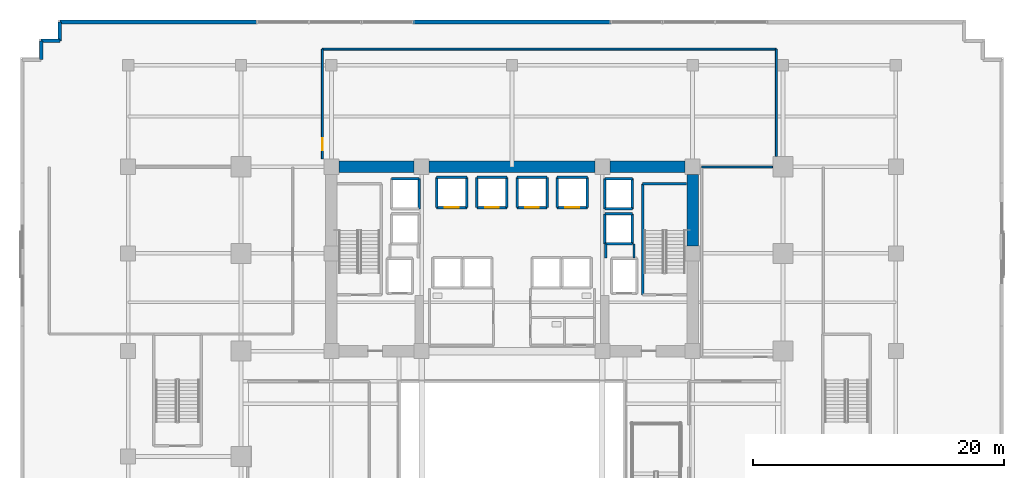
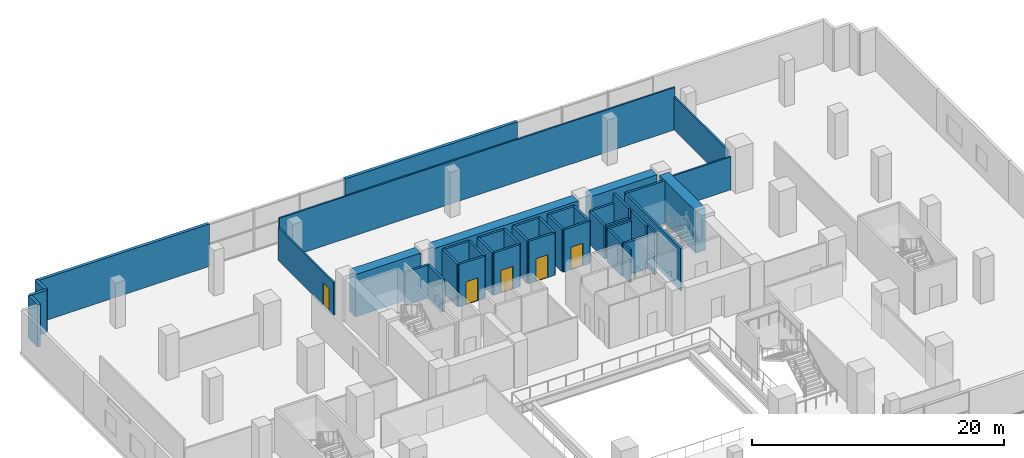
# One storey, part 14 of 21: 43 walls, 5 doors, 5 openings.
"""IFC4 building model written with IfcOpenShell, lengths in metres."""

from ifc_helpers import new_model, si_unit, direction, frame, frame_2d, origin, place, context, subcontext, project, spatial, rectangle, extrude, source, transform, mapped, material, layer, layer_set, type_object, element, fill, save


model = new_model("IFC4")

# Units and contexts
model_context = context("Model", 3, precision=1e-05, world=origin(), true_north=direction((0.0, 1.0)))
body_context = subcontext(model_context, "Body", "Model", "MODEL_VIEW")
ifc_project = project(units=[si_unit("LENGTHUNIT", "METRE"), si_unit("AREAUNIT", "SQUARE_METRE"), si_unit("VOLUMEUNIT", "CUBIC_METRE"), si_unit("PLANEANGLEUNIT", "RADIAN"), si_unit("MASSUNIT", "GRAM", prefix="KILO")], contexts=[model_context])

# Site, building, storey
site_placement = place(None, origin())
site = spatial("IfcSite", under=ifc_project, at=site_placement, CompositionType="ELEMENT")
building_placement = place(site_placement, origin())
building = spatial("IfcBuilding", under=site, at=building_placement, Name="Zarnakvel Exchange Tower", CompositionType="ELEMENT")
storey_placement = place(building_placement, frame((0.0, 0.0, 5.0)))
storey = spatial("IfcBuildingStorey", under=building, at=storey_placement, Name="L01", CompositionType="ELEMENT", Elevation=5.0)

# Walls
ifc_material_1 = material(Name="Concrete C80/95", Category="concrete")
ifc_layer_1 = layer(ifc_material_1, 0.89990234375)
ifc_layer_set_1 = layer_set([ifc_layer_1], Name="Concrete C80/95")
wall_type_1 = type_object("IfcWallType", Name="CW-C1", PredefinedType="SHEAR", material=ifc_layer_set_1)
wall_1_placement = place(storey_placement, frame((-13.800048828125, 13.5, 0.0), z_axis=(0.0, 0.0, 1.0), x_axis=(1.0, 0.0, 0.0)))
element("IfcWall", 1, at=wall_1_placement, inside=storey, type_object=wall_type_1, Name="L01 Rear Core Shear Wall N1 (CW-C1)", PredefinedType="SHEAR", context=body_context, shape_type="SweptSolid", body=[
    extrude(rectangle(XDim=6.0, YDim=0.89990234375, at=frame_2d((3.0, 0.0))), origin(), (0.0, 0.0, 1.0), 4.10009765625),
])
wall_2_placement = place(storey_placement, frame((-6.60009765625, 13.5, 0.0), z_axis=(0.0, 0.0, 1.0), x_axis=(1.0, 0.0, 0.0)))
element("IfcWall", 2, at=wall_2_placement, inside=storey, type_object=wall_type_1, Name="L01 Rear Core Shear Wall N2 (CW-C1)", PredefinedType="SHEAR", context=body_context, shape_type="SweptSolid", body=[
    extrude(rectangle(XDim=13.2001953125, YDim=0.89990234375, at=frame_2d((6.60009765625, 0.0))), origin(), (0.0, 0.0, 1.0), 4.10009765625),
])
wall_3_placement = place(storey_placement, frame((7.800048828125, 13.5, 0.0), z_axis=(0.0, 0.0, 1.0), x_axis=(1.0, 0.0, 0.0)))
element("IfcWall", 3, at=wall_3_placement, inside=storey, type_object=wall_type_1, Name="L01 Rear Core Shear Wall N3 (CW-C1)", PredefinedType="SHEAR", context=body_context, shape_type="SweptSolid", body=[
    extrude(rectangle(XDim=6.0, YDim=0.89990234375, at=frame_2d((3.0, 0.0))), origin(), (0.0, 0.0, 1.0), 4.10009765625),
])
wall_4_placement = place(storey_placement, frame((14.39990234375, 7.199951171875, 0.0), z_axis=(0.0, 0.0, 1.0), x_axis=(0.0, 1.0, 0.0)))
element("IfcWall", 4, at=wall_4_placement, inside=storey, type_object=wall_type_1, Name="L01 Rear Core Shear Wall E2 (CW-C1)", PredefinedType="SHEAR", context=body_context, shape_type="SweptSolid", body=[
    extrude(rectangle(XDim=5.699951171875, YDim=0.89990234375, at=frame_2d((2.85009765625, 0.0))), origin(), (0.0, 0.0, 1.0), 4.10009765625),
])
ifc_material_2 = material(Name="Precast concrete C40/50", Category="concrete")
ifc_layer_2 = layer(ifc_material_2, 0.280029296875)
ifc_layer_set_2 = layer_set([ifc_layer_2], Name="Precast concrete C40/50")
wall_type_2 = type_object("IfcWallType", Name="EW-01", PredefinedType="SOLIDWALL", material=ifc_layer_set_2)
for number, where, z_axis, x_axis, name in (
    (5, (-37.5400390625, 23.5400390625, 0.0), (0.0, 0.0, 1.0), (0.0, -1.0, 0.0), "L01 Exterior Precast Spandrel Wall EWC-L01-04 (EW-01)"),
    (6, (-36.0400390625, 23.5400390625, 0.0), (0.0, 0.0, 1.0), (-1.0, 0.0, 0.0), "L01 Exterior Precast Spandrel Wall EWC-L01-05 (EW-01)"),
    (7, (-36.0400390625, 25.0400390625, 0.0), (0.0, 0.0, 1.0), (0.0, -1.0, 0.0), "L01 Exterior Precast Spandrel Wall EWC-L01-06 (EW-01)"),
):
    element("IfcWall", number, at=place(storey_placement, frame(where, z_axis=z_axis, x_axis=x_axis)), inside=storey, type_object=wall_type_2, Name=name, PredefinedType="SOLIDWALL", context=body_context, shape_type="SweptSolid", body=[
        extrude(rectangle(XDim=1.5, YDim=0.280029296875, at=frame_2d((0.75, 0.0))), origin(), (0.0, 0.0, 1.0), 4.10009765625),
    ])
wall_5_placement = place(storey_placement, frame((-20.304931640625, 25.0400390625, 0.0), z_axis=(0.0, 0.0, 1.0), x_axis=(-1.0, 0.0, 0.0)))
element("IfcWall", 8, at=wall_5_placement, inside=storey, type_object=wall_type_2, Name="L01 Exterior Precast Spandrel Wall EWC-L01-07 (EW-01)", PredefinedType="SOLIDWALL", context=body_context, shape_type="SweptSolid", body=[
    extrude(rectangle(XDim=15.735107421875, YDim=0.280029296875, at=frame_2d((7.86767578125, 0.0))), origin(), (0.0, 0.0, 1.0), 4.10009765625),
])
wall_6_placement = place(storey_placement, frame((7.89501953125, 25.0400390625, 0.0), z_axis=(0.0, 0.0, 1.0), x_axis=(-1.0, 0.0, 0.0)))
element("IfcWall", 9, at=wall_6_placement, inside=storey, type_object=wall_type_2, Name="L01 Exterior Precast Spandrel Wall EWC-L01-08 (EW-01)", PredefinedType="SOLIDWALL", context=body_context, shape_type="SweptSolid", body=[
    extrude(rectangle(XDim=15.7900390625, YDim=0.280029296875, at=frame_2d((7.89501953125, 0.0))), origin(), (0.0, 0.0, 1.0), 4.10009765625),
])
ifc_material_3 = material(Name="Fire-Rated Gypsum Stud Partition", Category="gypsum")
ifc_layer_3 = layer(ifc_material_3, 0.14990234375)
ifc_layer_set_3 = layer_set([ifc_layer_3], Name="Fire-Rated Gypsum Stud Partition")
wall_type_3 = type_object("IfcWallType", Name="PT-01", PredefinedType="PARTITIONING", material=ifc_layer_set_3)
wall_7_placement = place(storey_placement, frame((15.1201171875, 13.47998046875, 0.0), z_axis=(0.0, 0.0, 1.0), x_axis=(1.0, 0.0, 0.0)))
element("IfcWall", 10, at=wall_7_placement, inside=storey, type_object=wall_type_3, Name="L01 Partition Wall PWALL-L01-045 (PT-01)", PredefinedType="PARTITIONING", context=body_context, shape_type="SweptSolid", body=[
    extrude(rectangle(XDim=5.659912109375, YDim=0.14990234375, at=frame_2d((2.830078125, 0.0))), origin(), (0.0, 0.0, 1.0), 3.18994140625),
])
wall_8_placement = place(storey_placement, frame((-15.1201171875, 22.8798828125, 0.0), z_axis=(0.0, 0.0, 1.0), x_axis=(1.0, 0.0, 0.0)))
element("IfcWall", 11, at=wall_8_placement, inside=storey, type_object=wall_type_3, Name="L01 Partition Wall PWALL-L01-048 (PT-01)", PredefinedType="PARTITIONING", context=body_context, shape_type="SweptSolid", body=[
    extrude(rectangle(XDim=36.2001953125, YDim=0.14990234375, at=frame_2d((18.10009765625, 0.0))), origin(), (0.0, 0.0, 1.0), 4.10009765625),
])

# Wall, opening, door
wall_9_placement = place(storey_placement, frame((-15.1201171875, 14.1201171875, 0.0), z_axis=(0.0, 0.0, 1.0), x_axis=(0.0, 1.0, 0.0)))
wall_9 = element("IfcWall", 12, at=wall_9_placement, inside=storey, type_object=wall_type_3, Name="L01 Partition Wall PWALL-L01-049 (PT-01)", PredefinedType="PARTITIONING", context=body_context, shape_type="SweptSolid", body=[
    extrude(rectangle(XDim=8.759765625, YDim=0.14990234375, at=frame_2d((4.3798828125, 0.0))), origin(), (0.0, 0.0, 1.0), 3.18994140625),
])
opening_1_placement = place(wall_9_placement, frame((0.68994140625, 0.0, 0.0)))
opening_1 = element("IfcOpeningElement", 13, at=opening_1_placement, cuts=wall_9, Name="Opening D-L01-15", PredefinedType="OPENING", context=body_context, shape_type="SweptSolid", body=[
    extrude(rectangle(XDim=0.97998046875, YDim=2.14990234375, at=frame_2d((0.489990234375, 1.074951171875))), frame((0.0, 0.0849609375, 0.0), z_axis=(0.0, -1.0, 0.0), x_axis=(1.0, 0.0, 0.0)), (0.0, 0.0, 1.0), 0.169921875),
])
ifc_material_4 = material(Name="Timber Acoustic Veneer", Category="wood")
door_type_1 = type_object("IfcDoorType", Name="DT-05", OperationType="NOTDEFINED", PredefinedType="DOOR", material=ifc_material_4)
shared_shape_1 = source(origin(), body_context, "Body", "SweptSolid", [
    extrude(rectangle(XDim=0.97998046875, YDim=2.14990234375, at=frame_2d((0.489990234375, 1.074951171875))), frame((0.0, 0.02490234375, 0.0), z_axis=(0.0, -1.0, 0.0), x_axis=(1.0, 0.0, 0.0)), (0.0, 0.0, 1.0), 0.050048828125),
])
door_1_placement = place(opening_1_placement, origin())
door_1 = element("IfcDoor", 14, at=door_1_placement, inside=storey, type_object=door_type_1, Name="L01 North Press Briefing Lounge Door D-L01-15", OperationType="SINGLE_SWING_RIGHT", OverallHeight=2.14990234375, OverallWidth=0.97998046875, PredefinedType="DOOR", context=body_context, shape_type="MappedRepresentation", body=[
    mapped(shared_shape_1, transform((0.0, 0.0, 0.0), x_axis=(1.0, 0.0, 0.0), y_axis=(0.0, 1.0, 0.0), z_axis=(0.0, 0.0, 1.0), scale=1.0)),
])
fill(opening_1, door_1)

# Walls
wall_10_placement = place(storey_placement, frame((21.080078125, 22.8798828125, 0.0), z_axis=(0.0, 0.0, 1.0), x_axis=(0.0, -1.0, 0.0)))
element("IfcWall", 15, at=wall_10_placement, inside=storey, type_object=wall_type_3, Name="L01 Partition Wall PWALL-L01-050 (PT-01)", PredefinedType="PARTITIONING", context=body_context, shape_type="SweptSolid", body=[
    extrude(rectangle(XDim=8.559814453125, YDim=0.14990234375, at=frame_2d((4.27978515625, 0.0))), origin(), (0.0, 0.0, 1.0), 3.18994140625),
])
ifc_layer_4 = layer(ifc_material_3, 0.179931640625)
ifc_layer_set_4 = layer_set([ifc_layer_4], Name="Fire-Rated Gypsum Stud Partition")
wall_type_4 = type_object("IfcWallType", Name="PT-02", PredefinedType="PARTITIONING", material=ifc_layer_set_4)
wall_11_placement = place(storey_placement, frame((7.469970703125, 6.239990234375, 0.0), z_axis=(0.0, 0.0, 1.0), x_axis=(0.0, 1.0, 0.0)))
element("IfcWall", 16, at=wall_11_placement, inside=storey, type_object=wall_type_4, Name="L01 Partition Wall PWALL-L01-009 (PT-02)", PredefinedType="PARTITIONING", context=body_context, shape_type="SweptSolid", body=[
    extrude(rectangle(XDim=1.090087890625, YDim=0.179931640625, at=frame_2d((0.544921875, 0.0))), origin(), (0.0, 0.0, 1.0), 3.18994140625),
])
wall_12_placement = place(storey_placement, frame((9.72998046875, 7.330078125, 0.0), z_axis=(0.0, 0.0, 1.0), x_axis=(0.0, -1.0, 0.0)))
element("IfcWall", 17, at=wall_12_placement, inside=storey, type_object=wall_type_4, Name="L01 Partition Wall PWALL-L01-010 (PT-02)", PredefinedType="PARTITIONING", context=body_context, shape_type="SweptSolid", body=[
    extrude(rectangle(XDim=1.090087890625, YDim=0.179931640625, at=frame_2d((0.544921875, 0.0))), origin(), (0.0, 0.0, 1.0), 4.10009765625),
])

# Wall, opening, door
ifc_material_5 = material(Name="Concrete C40/50", Category="concrete")
ifc_layer_5 = layer(ifc_material_5, 0.199951171875)
ifc_layer_set_5 = layer_set([ifc_layer_5], Name="Concrete C40/50")
wall_type_5 = type_object("IfcWallType", Name="SW-01", PredefinedType="SOLIDWALL", material=ifc_layer_set_5)
wall_13_placement = place(storey_placement, frame((-3.60009765625, 10.25, 0.0), z_axis=(0.0, 0.0, 1.0), x_axis=(-1.0, 0.0, 0.0)))
wall_13 = element("IfcWall", 18, at=wall_13_placement, inside=storey, type_object=wall_type_5, Name="L01 PL-01 Hoistway Wall South", PredefinedType="SOLIDWALL", context=body_context, shape_type="SweptSolid", body=[
    extrude(rectangle(XDim=2.39990234375, YDim=0.199951171875, at=frame_2d((1.199951171875, 0.0))), origin(), (0.0, 0.0, 1.0), 4.10009765625),
])
opening_2_placement = place(wall_13_placement, frame((0.64990234375, 0.0, 0.0)))
opening_2 = element("IfcOpeningElement", 19, at=opening_2_placement, cuts=wall_13, Name="Opening LD-PL-01-L01", PredefinedType="OPENING", context=body_context, shape_type="SweptSolid", body=[
    extrude(rectangle(XDim=1.10009765625, YDim=2.199951171875, at=frame_2d((0.550048828125, 1.10009765625))), frame((0.0, 0.10986328125, 0.0), z_axis=(0.0, -1.0, 0.0), x_axis=(1.0, 0.0, 0.0)), (0.0, 0.0, 1.0), 0.219970703125),
])
ifc_material_6 = material(Name="Architectural Bronze Anodised Aluminium", Category="aluminium")
door_type_2 = type_object("IfcDoorType", Name="LDT-02", OperationType="NOTDEFINED", PredefinedType="DOOR", material=ifc_material_6)
shared_shape_2 = source(origin(), body_context, "Body", "SweptSolid", [
    extrude(rectangle(XDim=1.10009765625, YDim=2.199951171875, at=frame_2d((0.550048828125, 1.10009765625))), frame((0.0, 0.02490234375, 0.0), z_axis=(0.0, -1.0, 0.0), x_axis=(1.0, 0.0, 0.0)), (0.0, 0.0, 1.0), 0.050048828125),
])
door_2_placement = place(opening_2_placement, origin())
door_2 = element("IfcDoor", 20, at=door_2_placement, inside=storey, type_object=door_type_2, Name="L01 PL-01 Lift Landing Door LD-PL-01-L01", OperationType="DOUBLE_DOOR_SLIDING", OverallHeight=2.199951171875, OverallWidth=1.10009765625, PredefinedType="DOOR", context=body_context, shape_type="MappedRepresentation", body=[
    mapped(shared_shape_2, transform((0.0, 0.0, 0.0), x_axis=(1.0, 0.0, 0.0), y_axis=(0.0, 1.0, 0.0), z_axis=(0.0, 0.0, 1.0), scale=1.0)),
])
fill(opening_2, door_2)

# Walls
for number, where, z_axis, x_axis, name in (
    (21, (-6.0, 12.64990234375, 0.0), (0.0, 0.0, 1.0), (1.0, 0.0, 0.0), "L01 PL-01 Hoistway Wall North"),
    (22, (-6.0, 10.25, 0.0), (0.0, 0.0, 1.0), (0.0, 1.0, 0.0), "L01 PL-01 Hoistway Wall West"),
    (23, (-3.60009765625, 12.64990234375, 0.0), (0.0, 0.0, 1.0), (0.0, -1.0, 0.0), "L01 PL-01 Hoistway Wall East"),
):
    element("IfcWall", number, at=place(storey_placement, frame(where, z_axis=z_axis, x_axis=x_axis)), inside=storey, type_object=wall_type_5, Name=name, PredefinedType="SOLIDWALL", context=body_context, shape_type="SweptSolid", body=[
        extrude(rectangle(XDim=2.39990234375, YDim=0.199951171875, at=frame_2d((1.199951171875, 0.0))), origin(), (0.0, 0.0, 1.0), 4.10009765625),
    ])

# Wall, opening, door
wall_14_placement = place(storey_placement, frame((-0.39990234375, 10.25, 0.0), z_axis=(0.0, 0.0, 1.0), x_axis=(-1.0, 0.0, 0.0)))
wall_14 = element("IfcWall", 24, at=wall_14_placement, inside=storey, type_object=wall_type_5, Name="L01 PL-02 Hoistway Wall South", PredefinedType="SOLIDWALL", context=body_context, shape_type="SweptSolid", body=[
    extrude(rectangle(XDim=2.400146484375, YDim=0.199951171875, at=frame_2d((1.2001953125, 0.0))), origin(), (0.0, 0.0, 1.0), 4.10009765625),
])
opening_3_placement = place(wall_14_placement, frame((0.64990234375, 0.0, 0.0)))
opening_3 = element("IfcOpeningElement", 25, at=opening_3_placement, cuts=wall_14, Name="Opening LD-PL-02-L01", PredefinedType="OPENING", context=body_context, shape_type="SweptSolid", body=[
    extrude(rectangle(XDim=1.10009765625, YDim=2.199951171875, at=frame_2d((0.550048828125, 1.10009765625))), frame((0.0, 0.10986328125, 0.0), z_axis=(0.0, -1.0, 0.0), x_axis=(1.0, 0.0, 0.0)), (0.0, 0.0, 1.0), 0.219970703125),
])
door_3_placement = place(opening_3_placement, origin())
door_3 = element("IfcDoor", 26, at=door_3_placement, inside=storey, type_object=door_type_2, Name="L01 PL-02 Lift Landing Door LD-PL-02-L01", OperationType="DOUBLE_DOOR_SLIDING", OverallHeight=2.199951171875, OverallWidth=1.10009765625, PredefinedType="DOOR", context=body_context, shape_type="MappedRepresentation", body=[
    mapped(shared_shape_2, transform((0.0, 0.0, 0.0), x_axis=(1.0, 0.0, 0.0), y_axis=(0.0, 1.0, 0.0), z_axis=(0.0, 0.0, 1.0), scale=1.0)),
])
fill(opening_3, door_3)

# Walls
wall_15_placement = place(storey_placement, frame((-2.800048828125, 12.64990234375, 0.0), z_axis=(0.0, 0.0, 1.0), x_axis=(1.0, 0.0, 0.0)))
element("IfcWall", 27, at=wall_15_placement, inside=storey, type_object=wall_type_5, Name="L01 PL-02 Hoistway Wall North", PredefinedType="SOLIDWALL", context=body_context, shape_type="SweptSolid", body=[
    extrude(rectangle(XDim=2.400146484375, YDim=0.199951171875, at=frame_2d((1.2001953125, 0.0))), origin(), (0.0, 0.0, 1.0), 4.10009765625),
])
for number, where, z_axis, x_axis, name in (
    (28, (-2.800048828125, 10.25, 0.0), (0.0, 0.0, 1.0), (0.0, 1.0, 0.0), "L01 PL-02 Hoistway Wall West"),
    (29, (-0.39990234375, 12.64990234375, 0.0), (0.0, 0.0, 1.0), (0.0, -1.0, 0.0), "L01 PL-02 Hoistway Wall East"),
):
    element("IfcWall", number, at=place(storey_placement, frame(where, z_axis=z_axis, x_axis=x_axis)), inside=storey, type_object=wall_type_5, Name=name, PredefinedType="SOLIDWALL", context=body_context, shape_type="SweptSolid", body=[
        extrude(rectangle(XDim=2.39990234375, YDim=0.199951171875, at=frame_2d((1.199951171875, 0.0))), origin(), (0.0, 0.0, 1.0), 4.10009765625),
    ])

# Wall, opening, door
wall_16_placement = place(storey_placement, frame((2.800048828125, 10.25, 0.0), z_axis=(0.0, 0.0, 1.0), x_axis=(-1.0, 0.0, 0.0)))
wall_16 = element("IfcWall", 30, at=wall_16_placement, inside=storey, type_object=wall_type_5, Name="L01 PL-03 Hoistway Wall South", PredefinedType="SOLIDWALL", context=body_context, shape_type="SweptSolid", body=[
    extrude(rectangle(XDim=2.400146484375, YDim=0.199951171875, at=frame_2d((1.2001953125, 0.0))), origin(), (0.0, 0.0, 1.0), 4.10009765625),
])
opening_4_placement = place(wall_16_placement, frame((0.64990234375, 0.0, 0.0)))
opening_4 = element("IfcOpeningElement", 31, at=opening_4_placement, cuts=wall_16, Name="Opening LD-PL-03-L01", PredefinedType="OPENING", context=body_context, shape_type="SweptSolid", body=[
    extrude(rectangle(XDim=1.10009765625, YDim=2.199951171875, at=frame_2d((0.550048828125, 1.10009765625))), frame((0.0, 0.10986328125, 0.0), z_axis=(0.0, -1.0, 0.0), x_axis=(1.0, 0.0, 0.0)), (0.0, 0.0, 1.0), 0.219970703125),
])
door_4_placement = place(opening_4_placement, origin())
door_4 = element("IfcDoor", 32, at=door_4_placement, inside=storey, type_object=door_type_2, Name="L01 PL-03 Lift Landing Door LD-PL-03-L01", OperationType="DOUBLE_DOOR_SLIDING", OverallHeight=2.199951171875, OverallWidth=1.10009765625, PredefinedType="DOOR", context=body_context, shape_type="MappedRepresentation", body=[
    mapped(shared_shape_2, transform((0.0, 0.0, 0.0), x_axis=(1.0, 0.0, 0.0), y_axis=(0.0, 1.0, 0.0), z_axis=(0.0, 0.0, 1.0), scale=1.0)),
])
fill(opening_4, door_4)

# Walls
wall_17_placement = place(storey_placement, frame((0.39990234375, 12.64990234375, 0.0), z_axis=(0.0, 0.0, 1.0), x_axis=(1.0, 0.0, 0.0)))
element("IfcWall", 33, at=wall_17_placement, inside=storey, type_object=wall_type_5, Name="L01 PL-03 Hoistway Wall North", PredefinedType="SOLIDWALL", context=body_context, shape_type="SweptSolid", body=[
    extrude(rectangle(XDim=2.400146484375, YDim=0.199951171875, at=frame_2d((1.2001953125, 0.0))), origin(), (0.0, 0.0, 1.0), 4.10009765625),
])
for number, where, z_axis, x_axis, name in (
    (34, (0.39990234375, 10.25, 0.0), (0.0, 0.0, 1.0), (0.0, 1.0, 0.0), "L01 PL-03 Hoistway Wall West"),
    (35, (2.800048828125, 12.64990234375, 0.0), (0.0, 0.0, 1.0), (0.0, -1.0, 0.0), "L01 PL-03 Hoistway Wall East"),
):
    element("IfcWall", number, at=place(storey_placement, frame(where, z_axis=z_axis, x_axis=x_axis)), inside=storey, type_object=wall_type_5, Name=name, PredefinedType="SOLIDWALL", context=body_context, shape_type="SweptSolid", body=[
        extrude(rectangle(XDim=2.39990234375, YDim=0.199951171875, at=frame_2d((1.199951171875, 0.0))), origin(), (0.0, 0.0, 1.0), 4.10009765625),
    ])

# Wall, opening, door
wall_18_placement = place(storey_placement, frame((6.0, 10.25, 0.0), z_axis=(0.0, 0.0, 1.0), x_axis=(-1.0, 0.0, 0.0)))
wall_18 = element("IfcWall", 36, at=wall_18_placement, inside=storey, type_object=wall_type_5, Name="L01 PL-04 Hoistway Wall South", PredefinedType="SOLIDWALL", context=body_context, shape_type="SweptSolid", body=[
    extrude(rectangle(XDim=2.39990234375, YDim=0.199951171875, at=frame_2d((1.199951171875, 0.0))), origin(), (0.0, 0.0, 1.0), 4.10009765625),
])
opening_5_placement = place(wall_18_placement, frame((0.64990234375, 0.0, 0.0)))
opening_5 = element("IfcOpeningElement", 37, at=opening_5_placement, cuts=wall_18, Name="Opening LD-PL-04-L01", PredefinedType="OPENING", context=body_context, shape_type="SweptSolid", body=[
    extrude(rectangle(XDim=1.10009765625, YDim=2.199951171875, at=frame_2d((0.550048828125, 1.10009765625))), frame((0.0, 0.10986328125, 0.0), z_axis=(0.0, -1.0, 0.0), x_axis=(1.0, 0.0, 0.0)), (0.0, 0.0, 1.0), 0.219970703125),
])
door_5_placement = place(opening_5_placement, origin())
door_5 = element("IfcDoor", 38, at=door_5_placement, inside=storey, type_object=door_type_2, Name="L01 PL-04 Lift Landing Door LD-PL-04-L01", OperationType="DOUBLE_DOOR_SLIDING", OverallHeight=2.199951171875, OverallWidth=1.10009765625, PredefinedType="DOOR", context=body_context, shape_type="MappedRepresentation", body=[
    mapped(shared_shape_2, transform((0.0, 0.0, 0.0), x_axis=(1.0, 0.0, 0.0), y_axis=(0.0, 1.0, 0.0), z_axis=(0.0, 0.0, 1.0), scale=1.0)),
])
fill(opening_5, door_5)

# Walls
for number, where, z_axis, x_axis, name in (
    (39, (3.60009765625, 12.64990234375, 0.0), (0.0, 0.0, 1.0), (1.0, 0.0, 0.0), "L01 PL-04 Hoistway Wall North"),
    (40, (3.60009765625, 10.25, 0.0), (0.0, 0.0, 1.0), (0.0, 1.0, 0.0), "L01 PL-04 Hoistway Wall West"),
    (41, (6.0, 12.64990234375, 0.0), (0.0, 0.0, 1.0), (0.0, -1.0, 0.0), "L01 PL-04 Hoistway Wall East"),
):
    element("IfcWall", number, at=place(storey_placement, frame(where, z_axis=z_axis, x_axis=x_axis)), inside=storey, type_object=wall_type_5, Name=name, PredefinedType="SOLIDWALL", context=body_context, shape_type="SweptSolid", body=[
        extrude(rectangle(XDim=2.39990234375, YDim=0.199951171875, at=frame_2d((1.199951171875, 0.0))), origin(), (0.0, 0.0, 1.0), 4.10009765625),
    ])
wall_19_placement = place(storey_placement, frame((-9.60009765625, 12.550048828125, 0.0), z_axis=(0.0, 0.0, 1.0), x_axis=(1.0, 0.0, 0.0)))
element("IfcWall", 42, at=wall_19_placement, inside=storey, type_object=wall_type_5, Name="L01 PL-10 Hoistway Wall North", PredefinedType="SOLIDWALL", context=body_context, shape_type="SweptSolid", body=[
    extrude(rectangle(XDim=2.2001953125, YDim=0.199951171875, at=frame_2d((1.10009765625, 0.0))), origin(), (0.0, 0.0, 1.0), 3.18994140625),
])
wall_20_placement = place(storey_placement, frame((-7.39990234375, 12.550048828125, 0.0), z_axis=(0.0, 0.0, 1.0), x_axis=(0.0, -1.0, 0.0)))
element("IfcWall", 43, at=wall_20_placement, inside=storey, type_object=wall_type_5, Name="L01 PL-10 Hoistway Wall East", PredefinedType="SOLIDWALL", context=body_context, shape_type="SweptSolid", body=[
    extrude(rectangle(XDim=2.400146484375, YDim=0.199951171875, at=frame_2d((1.2001953125, 0.0))), origin(), (0.0, 0.0, 1.0), 3.18994140625),
])
for number, where, z_axis, x_axis, name in (
    (44, (9.60009765625, 7.35009765625, 0.0), (0.0, 0.0, 1.0), (-1.0, 0.0, 0.0), "L01 PL-11 Hoistway Wall South"),
    (45, (7.39990234375, 9.75, 0.0), (0.0, 0.0, 1.0), (1.0, 0.0, 0.0), "L01 PL-11 Hoistway Wall North"),
):
    element("IfcWall", number, at=place(storey_placement, frame(where, z_axis=z_axis, x_axis=x_axis)), inside=storey, type_object=wall_type_5, Name=name, PredefinedType="SOLIDWALL", context=body_context, shape_type="SweptSolid", body=[
        extrude(rectangle(XDim=2.2001953125, YDim=0.199951171875, at=frame_2d((1.10009765625, 0.0))), origin(), (0.0, 0.0, 1.0), 3.18994140625),
    ])
wall_21_placement = place(storey_placement, frame((7.39990234375, 7.35009765625, 0.0), z_axis=(0.0, 0.0, 1.0), x_axis=(0.0, 1.0, 0.0)))
element("IfcWall", 46, at=wall_21_placement, inside=storey, type_object=wall_type_5, Name="L01 PL-11 Hoistway Wall West", PredefinedType="SOLIDWALL", context=body_context, shape_type="SweptSolid", body=[
    extrude(rectangle(XDim=2.39990234375, YDim=0.199951171875, at=frame_2d((1.199951171875, 0.0))), origin(), (0.0, 0.0, 1.0), 3.18994140625),
])
wall_22_placement = place(storey_placement, frame((9.60009765625, 9.75, 0.0), z_axis=(0.0, 0.0, 1.0), x_axis=(0.0, -1.0, 0.0)))
element("IfcWall", 47, at=wall_22_placement, inside=storey, type_object=wall_type_5, Name="L01 PL-11 Hoistway Wall East", PredefinedType="SOLIDWALL", context=body_context, shape_type="SweptSolid", body=[
    extrude(rectangle(XDim=2.39990234375, YDim=0.199951171875, at=frame_2d((1.199951171875, 0.0))), origin(), (0.0, 0.0, 1.0), 4.10009765625),
])
for number, where, z_axis, x_axis, name in (
    (48, (9.60009765625, 10.14990234375, 0.0), (0.0, 0.0, 1.0), (-1.0, 0.0, 0.0), "L01 PL-12 Hoistway Wall South"),
    (49, (7.39990234375, 12.550048828125, 0.0), (0.0, 0.0, 1.0), (1.0, 0.0, 0.0), "L01 PL-12 Hoistway Wall North"),
):
    element("IfcWall", number, at=place(storey_placement, frame(where, z_axis=z_axis, x_axis=x_axis)), inside=storey, type_object=wall_type_5, Name=name, PredefinedType="SOLIDWALL", context=body_context, shape_type="SweptSolid", body=[
        extrude(rectangle(XDim=2.2001953125, YDim=0.199951171875, at=frame_2d((1.10009765625, 0.0))), origin(), (0.0, 0.0, 1.0), 3.18994140625),
    ])
wall_23_placement = place(storey_placement, frame((7.39990234375, 10.14990234375, 0.0), z_axis=(0.0, 0.0, 1.0), x_axis=(0.0, 1.0, 0.0)))
element("IfcWall", 50, at=wall_23_placement, inside=storey, type_object=wall_type_5, Name="L01 PL-12 Hoistway Wall West", PredefinedType="SOLIDWALL", context=body_context, shape_type="SweptSolid", body=[
    extrude(rectangle(XDim=2.400146484375, YDim=0.199951171875, at=frame_2d((1.2001953125, 0.0))), origin(), (0.0, 0.0, 1.0), 3.18994140625),
])
wall_24_placement = place(storey_placement, frame((9.60009765625, 12.550048828125, 0.0), z_axis=(0.0, 0.0, 1.0), x_axis=(0.0, -1.0, 0.0)))
element("IfcWall", 51, at=wall_24_placement, inside=storey, type_object=wall_type_5, Name="L01 PL-12 Hoistway Wall East", PredefinedType="SOLIDWALL", context=body_context, shape_type="SweptSolid", body=[
    extrude(rectangle(XDim=2.400146484375, YDim=0.199951171875, at=frame_2d((1.2001953125, 0.0))), origin(), (0.0, 0.0, 1.0), 4.10009765625),
])
ifc_layer_6 = layer(ifc_material_5, 0.199951171875)
ifc_layer_set_6 = layer_set([ifc_layer_6], Name="Concrete C40/50")
wall_type_6 = type_object("IfcWallType", Name="SW-02", PredefinedType="SOLIDWALL", material=ifc_layer_set_6)
wall_25_placement = place(storey_placement, frame((10.409912109375, 12.1298828125, 0.0), z_axis=(0.0, 0.0, 1.0), x_axis=(1.0, 0.0, 0.0)))
element("IfcWall", 52, at=wall_25_placement, inside=storey, type_object=wall_type_6, Name="L01 Stairwell Core Wall PWALL-L01-005 (SW-02)", PredefinedType="SOLIDWALL", context=body_context, shape_type="SweptSolid", body=[
    extrude(rectangle(XDim=3.52001953125, YDim=0.199951171875, at=frame_2d((1.760009765625, 0.0))), origin(), (0.0, 0.0, 1.0), 4.10009765625),
])
wall_26_placement = place(storey_placement, frame((10.409912109375, 3.2900390625, 0.0), z_axis=(0.0, 0.0, 1.0), x_axis=(0.0, 1.0, 0.0)))
element("IfcWall", 53, at=wall_26_placement, inside=storey, type_object=wall_type_6, Name="L01 Stairwell Core Wall PWALL-L01-006 (SW-02)", PredefinedType="SOLIDWALL", context=body_context, shape_type="SweptSolid", body=[
    extrude(rectangle(XDim=8.83984375, YDim=0.199951171875, at=frame_2d((4.419921875, 0.0))), origin(), (0.0, 0.0, 1.0), 4.10009765625),
])

save(model, "model.ifc")
